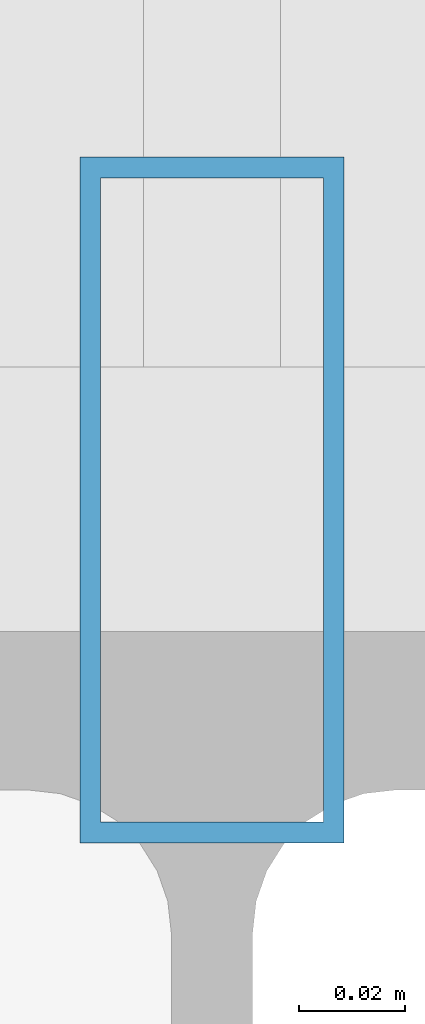
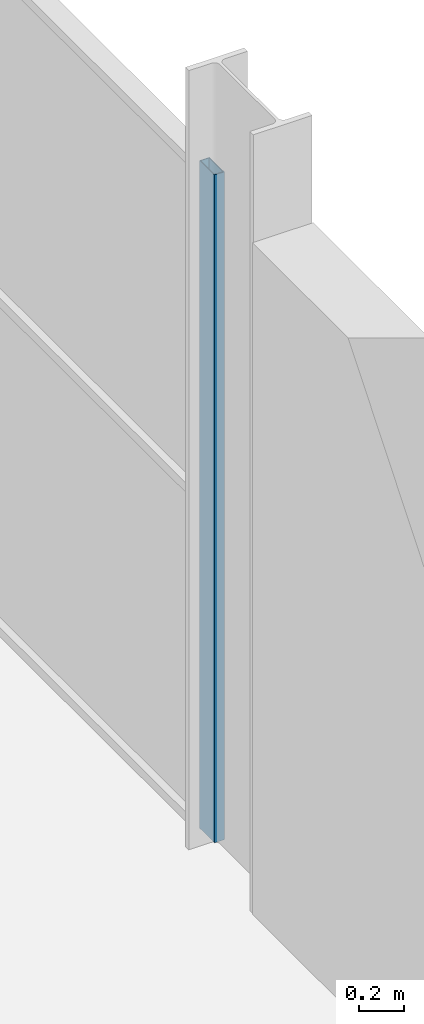
# One storey, part 93 of 135: 1 member, 1 element without a shape of its own.
"""IFC4 building model written with IfcOpenShell, lengths in metres."""

from ifc_helpers import new_model, si_unit, direction, frame, origin, origin_2d, place, context, subcontext, project, spatial, hollow_rectangle, extrude, material, layer, layer_set, material_profile, profile_set, type_object, element, aggregate, save


model = new_model("IFC4")

# Units and contexts
model_context = context("Model", 3, precision=1e-05, world=origin(), true_north=direction((0.0, 1.0)))
body_context = subcontext(model_context, "Body", "Model", "MODEL_VIEW")
ifc_project = project(units=[si_unit("LENGTHUNIT", "METRE"), si_unit("AREAUNIT", "SQUARE_METRE"), si_unit("VOLUMEUNIT", "CUBIC_METRE"), si_unit("PLANEANGLEUNIT", "RADIAN"), si_unit("MASSUNIT", "GRAM", prefix="KILO")], contexts=[model_context])

# Site, building, storey
site_placement = place(None, origin())
site = spatial("IfcSite", under=ifc_project, at=site_placement, CompositionType="ELEMENT")
building_placement = place(site_placement, origin())
building = spatial("IfcBuilding", under=site, at=building_placement, Name="Deido Ridge Mobility Hub", CompositionType="ELEMENT")
storey_placement = place(building_placement, frame((0.0, 0.0, 4.199951171875)))
storey = spatial("IfcBuildingStorey", under=building, at=storey_placement, Name="L01", CompositionType="ELEMENT", Elevation=4.199951171875)

# Curtain wall, member
ifc_material = material(Name="Anodised aluminium EN AW-6063 T6", Category="aluminium")
ifc_layer = layer(ifc_material, 0.1650390625, Name="Anodised aluminium EN AW-6063 T6")
ifc_layer_set = layer_set([ifc_layer], Name="Anodised aluminium EN AW-6063 T6")
curtain_wall_type = type_object("IfcCurtainWallType", Name="CW-UF-1", PredefinedType="USERDEFINED", material=ifc_layer_set)
curtain_wall_placement = place(storey_placement, origin())
curtain_wall = element("IfcCurtainWall", 1, at=curtain_wall_placement, inside=storey, type_object=curtain_wall_type, Name="Unitised curtain wall CW1", ObjectType="UNITISED FACADE", PredefinedType="USERDEFINED")
ifc_material_profile = material_profile(ifc_material, hollow_rectangle(XDim=0.050048828125, YDim=0.1298828125, WallThickness=0.00390625, at=origin_2d()), Name="RHS 50x130x4")
ifc_profile_set = profile_set([ifc_material_profile], Name="Anodised aluminium EN AW-6063 T6")
member_type = type_object("IfcMemberType", Name="MEM-MUL-50X130", PredefinedType="MULLION", material=ifc_profile_set)
member_placement = place(storey_placement, frame((180.0, 45.324951171875, 0.0), z_axis=(0.0, 0.0, 1.0), x_axis=(-1.0, 0.0, 0.0)))
member = element("IfcMember", 2, at=member_placement, type_object=member_type, Name="CW1 mullion 1", PredefinedType="MULLION", context=body_context, shape_type="SweptSolid", body=[
    extrude(hollow_rectangle(XDim=0.050048828125, YDim=0.1298828125, WallThickness=0.00390625, at=origin_2d()), origin(), (0.0, 0.0, 1.0), 3.60009765625),
])
aggregate(curtain_wall, [member])

save(model, "model.ifc")
